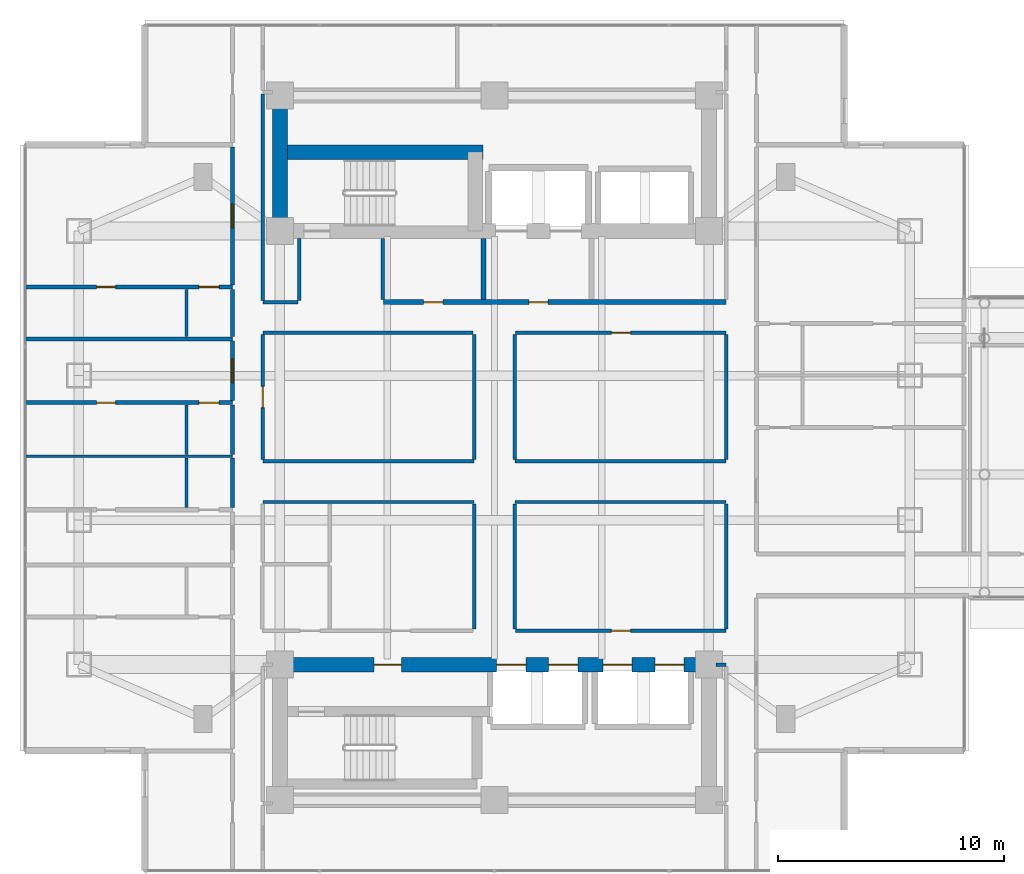
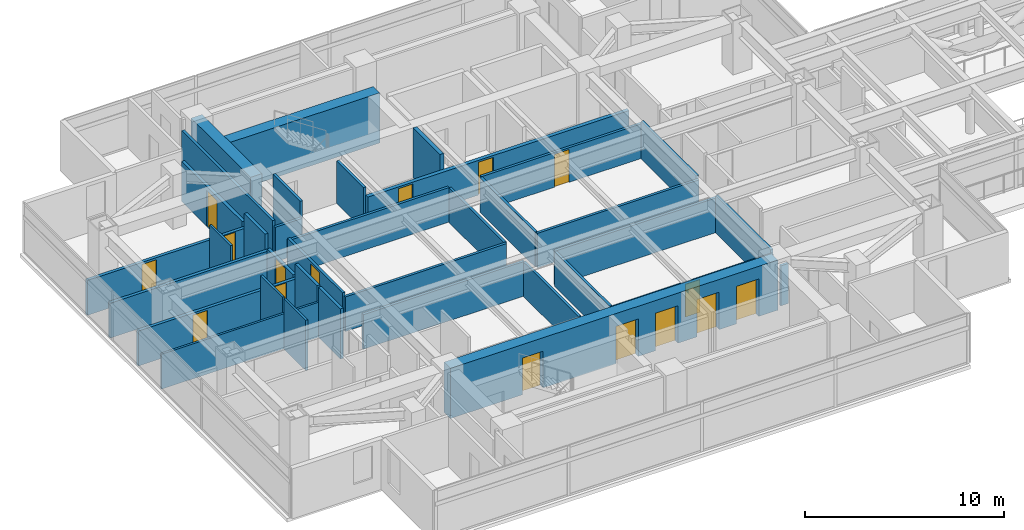
# One storey, part 16 of 27: 36 walls, 16 doors, 16 openings.
"""IFC4 building model written with IfcOpenShell, lengths in metres."""

from ifc_helpers import new_model, si_unit, direction, frame, frame_2d, origin, place, context, subcontext, project, spatial, rectangle, extrude, material, layer, layer_set, type_object, element, fill, save


model = new_model("IFC4")

# Units and contexts
model_context = context("Model", 3, precision=1e-05, world=origin(), true_north=direction((0.0, 1.0)))
body_context = subcontext(model_context, "Body", "Model", "MODEL_VIEW")
ifc_project = project(units=[si_unit("LENGTHUNIT", "METRE"), si_unit("AREAUNIT", "SQUARE_METRE"), si_unit("VOLUMEUNIT", "CUBIC_METRE"), si_unit("PLANEANGLEUNIT", "RADIAN"), si_unit("MASSUNIT", "GRAM", prefix="KILO")], contexts=[model_context])

# Site, building, storey
site_placement = place(None, origin())
site = spatial("IfcSite", under=ifc_project, at=site_placement, CompositionType="ELEMENT")
building_placement = place(site_placement, origin())
building = spatial("IfcBuilding", under=site, at=building_placement, Name="Mirazonda Arch Towers", CompositionType="ELEMENT")
storey_placement = place(building_placement, frame((0.0, 0.0, 95.0)))
storey = spatial("IfcBuildingStorey", under=building, at=storey_placement, Name="L26", CompositionType="ELEMENT", Elevation=95.0)

# Walls
ifc_material_1 = material(Name="Concrete C60/75", Category="concrete")
ifc_layer_1 = layer(ifc_material_1, 0.64990234375, Name="WALL-CORE-650")
ifc_layer_set_1 = layer_set([ifc_layer_1], Name="Concrete C60/75")
wall_type_1 = type_object("IfcWallType", Name="WALL-CORE-650", PredefinedType="SHEAR", material=ifc_layer_set_1)
wall_1_placement = place(storey_placement, frame((11.0, 37.60009765625, 0.0), z_axis=(0.0, 0.0, 1.0), x_axis=(0.0, 1.0, 0.0)))
element("IfcWall", 1, at=wall_1_placement, inside=storey, type_object=wall_type_1, Name="L26 T1N-W Core Shear Wall", PredefinedType="SHEAR", context=body_context, shape_type="SweptSolid", body=[
    extrude(rectangle(XDim=6.0, YDim=0.64990234375, at=frame_2d((3.0, 0.0))), origin(), (0.0, 0.0, 1.0), 3.080078125),
])
wall_2_placement = place(storey_placement, frame((11.0, 41.093017578125, 0.0), z_axis=(0.0, 0.0, 1.0), x_axis=(1.0, 0.0, 0.0)))
element("IfcWall", 2, at=wall_2_placement, inside=storey, type_object=wall_type_1, Name="L26 T1N-STN Core Shear Wall", PredefinedType="SHEAR", context=body_context, shape_type="SweptSolid", body=[
    extrude(rectangle(XDim=9.0, YDim=0.64990234375, at=frame_2d((4.5, 0.0))), origin(), (0.0, 0.0, 1.0), 3.080078125),
])

# Wall, openings, doors
wall_3_placement = place(storey_placement, frame((11.0, 18.39990234375, 0.0), z_axis=(0.0, 0.0, 1.0), x_axis=(1.0, 0.0, 0.0)))
wall_3 = element("IfcWall", 3, at=wall_3_placement, inside=storey, type_object=wall_type_1, Name="L26 T1S-N Core Shear Wall", PredefinedType="SHEAR", context=body_context, shape_type="SweptSolid", body=[
    extrude(rectangle(XDim=19.0, YDim=0.64990234375, at=frame_2d((9.5, 0.0))), origin(), (0.0, 0.0, 1.0), 3.080078125),
])
opening_1_placement = place(wall_3_placement, frame((4.175048828125, 0.0, 0.0)))
opening_1 = element("IfcOpeningElement", 4, at=opening_1_placement, cuts=wall_3, Name="Opening DR-117", PredefinedType="OPENING", context=body_context, shape_type="SweptSolid", body=[
    extrude(rectangle(XDim=1.199951171875, YDim=2.25, at=frame_2d((0.60009765625, 1.125))), frame((0.0, 0.3349609375, 0.0), z_axis=(0.0, -1.0, 0.0), x_axis=(1.0, 0.0, 0.0)), (0.0, 0.0, 1.0), 0.669921875),
])
opening_2_placement = place(wall_3_placement, frame((9.60009765625, 0.0, 0.0)))
opening_2 = element("IfcOpeningElement", 5, at=opening_2_placement, cuts=wall_3, Name="Opening LD-111", PredefinedType="OPENING", context=body_context, shape_type="SweptSolid", body=[
    extrude(rectangle(XDim=1.300048828125, YDim=2.300048828125, at=frame_2d((0.64990234375, 1.14990234375))), frame((0.0, 0.3349609375, 0.0), z_axis=(0.0, -1.0, 0.0), x_axis=(1.0, 0.0, 0.0)), (0.0, 0.0, 1.0), 0.669921875),
])
opening_3_placement = place(wall_3_placement, frame((11.89990234375, 0.0, 0.0)))
opening_3 = element("IfcOpeningElement", 6, at=opening_3_placement, cuts=wall_3, Name="Opening LD-111", PredefinedType="OPENING", context=body_context, shape_type="SweptSolid", body=[
    extrude(rectangle(XDim=1.300048828125, YDim=2.300048828125, at=frame_2d((0.64990234375, 1.14990234375))), frame((0.0, 0.3349609375, 0.0), z_axis=(0.0, -1.0, 0.0), x_axis=(1.0, 0.0, 0.0)), (0.0, 0.0, 1.0), 0.669921875),
])
opening_4_placement = place(wall_3_placement, frame((14.300048828125, 0.0, 0.0)))
opening_4 = element("IfcOpeningElement", 7, at=opening_4_placement, cuts=wall_3, Name="Opening LD-111", PredefinedType="OPENING", context=body_context, shape_type="SweptSolid", body=[
    extrude(rectangle(XDim=1.300048828125, YDim=2.300048828125, at=frame_2d((0.64990234375, 1.14990234375))), frame((0.0, 0.3349609375, 0.0), z_axis=(0.0, -1.0, 0.0), x_axis=(1.0, 0.0, 0.0)), (0.0, 0.0, 1.0), 0.669921875),
])
opening_5_placement = place(wall_3_placement, frame((16.60009765625, 0.0, 0.0)))
opening_5 = element("IfcOpeningElement", 8, at=opening_5_placement, cuts=wall_3, Name="Opening LD-111", PredefinedType="OPENING", context=body_context, shape_type="SweptSolid", body=[
    extrude(rectangle(XDim=1.300048828125, YDim=2.300048828125, at=frame_2d((0.64990234375, 1.14990234375))), frame((0.0, 0.3349609375, 0.0), z_axis=(0.0, -1.0, 0.0), x_axis=(1.0, 0.0, 0.0)), (0.0, 0.0, 1.0), 0.669921875),
])
ifc_material_2 = material(Name="Architectural Brushed Steel S355", Category="steel")
door_type_1 = type_object("IfcDoorType", Name="DOOR-FFL-FD90-1200", OperationType="NOTDEFINED", PredefinedType="DOOR", material=ifc_material_2)
door_1_placement = place(opening_1_placement, origin())
door_1 = element("IfcDoor", 9, at=door_1_placement, inside=storey, type_object=door_type_1, Name="L26 South Core Stair & Lift Lobby Door", OperationType="SINGLE_SWING_RIGHT", OverallHeight=2.25, OverallWidth=1.199951171875, PredefinedType="DOOR", context=body_context, shape_type="SweptSolid", body=[
    extrude(rectangle(XDim=1.199951171875, YDim=2.25, at=frame_2d((0.60009765625, 1.125))), frame((0.0, 0.02490234375, 0.0), z_axis=(0.0, -1.0, 0.0), x_axis=(1.0, 0.0, 0.0)), (0.0, 0.0, 1.0), 0.050048828125),
])
fill(opening_1, door_1)
door_type_2 = type_object("IfcDoorType", Name="DOOR-LIFT-LAND-1300", OperationType="NOTDEFINED", PredefinedType="DOOR", material=ifc_material_2)
door_2_placement = place(opening_2_placement, origin())
door_2 = element("IfcDoor", 10, at=door_2_placement, inside=storey, type_object=door_type_2, Name="L26 Lift Landing Sliding Door PL-T1M1", OperationType="DOUBLE_DOOR_SLIDING", OverallHeight=2.300048828125, OverallWidth=1.300048828125, PredefinedType="DOOR", context=body_context, shape_type="SweptSolid", body=[
    extrude(rectangle(XDim=1.300048828125, YDim=2.300048828125, at=frame_2d((0.64990234375, 1.14990234375))), frame((0.0, 0.02490234375, 0.0), z_axis=(0.0, -1.0, 0.0), x_axis=(1.0, 0.0, 0.0)), (0.0, 0.0, 1.0), 0.050048828125),
])
fill(opening_2, door_2)
door_3_placement = place(opening_3_placement, origin())
door_3 = element("IfcDoor", 11, at=door_3_placement, inside=storey, type_object=door_type_2, Name="L26 Lift Landing Sliding Door PL-T1M2", OperationType="DOUBLE_DOOR_SLIDING", OverallHeight=2.300048828125, OverallWidth=1.300048828125, PredefinedType="DOOR", context=body_context, shape_type="SweptSolid", body=[
    extrude(rectangle(XDim=1.300048828125, YDim=2.300048828125, at=frame_2d((0.64990234375, 1.14990234375))), frame((0.0, 0.02490234375, 0.0), z_axis=(0.0, -1.0, 0.0), x_axis=(1.0, 0.0, 0.0)), (0.0, 0.0, 1.0), 0.050048828125),
])
fill(opening_3, door_3)
door_4_placement = place(opening_4_placement, origin())
door_4 = element("IfcDoor", 12, at=door_4_placement, inside=storey, type_object=door_type_2, Name="L26 Lift Landing Sliding Door PL-T1H1", OperationType="DOUBLE_DOOR_SLIDING", OverallHeight=2.300048828125, OverallWidth=1.300048828125, PredefinedType="DOOR", context=body_context, shape_type="SweptSolid", body=[
    extrude(rectangle(XDim=1.300048828125, YDim=2.300048828125, at=frame_2d((0.64990234375, 1.14990234375))), frame((0.0, 0.02490234375, 0.0), z_axis=(0.0, -1.0, 0.0), x_axis=(1.0, 0.0, 0.0)), (0.0, 0.0, 1.0), 0.050048828125),
])
fill(opening_4, door_4)
door_5_placement = place(opening_5_placement, origin())
door_5 = element("IfcDoor", 13, at=door_5_placement, inside=storey, type_object=door_type_2, Name="L26 Lift Landing Sliding Door PL-T1H2", OperationType="DOUBLE_DOOR_SLIDING", OverallHeight=2.300048828125, OverallWidth=1.300048828125, PredefinedType="DOOR", context=body_context, shape_type="SweptSolid", body=[
    extrude(rectangle(XDim=1.300048828125, YDim=2.300048828125, at=frame_2d((0.64990234375, 1.14990234375))), frame((0.0, 0.02490234375, 0.0), z_axis=(0.0, -1.0, 0.0), x_axis=(1.0, 0.0, 0.0)), (0.0, 0.0, 1.0), 0.050048828125),
])
fill(opening_5, door_5)

ifc_material_3 = material(Name="Concrete C40/50", Category="concrete")
ifc_layer_2 = layer(ifc_material_3, 0.219970703125, Name="WALL-FFL-220")
ifc_layer_set_2 = layer_set([ifc_layer_2], Name="Concrete C40/50")
wall_type_2 = type_object("IfcWallType", Name="WALL-FFL-220", PredefinedType="SOLIDWALL", material=ifc_layer_set_2)
wall_4_placement = place(storey_placement, frame((15.590087890625, 34.449951171875, 0.0), z_axis=(0.0, 0.0, 1.0), x_axis=(1.0, 0.0, 0.0)))
wall_4 = element("IfcWall", 14, at=wall_4_placement, inside=storey, type_object=wall_type_2, Name="L26 Interior Partition 055", PredefinedType="SOLIDWALL", context=body_context, shape_type="SweptSolid", body=[
    extrude(rectangle(XDim=15.169921875, YDim=0.219970703125, at=frame_2d((7.5849609375, 0.0))), origin(), (0.0, 0.0, 1.0), 2.1240234375),
])
opening_6_placement = place(wall_4_placement, frame((6.43505859375, 0.0, 0.0)))
opening_6 = element("IfcOpeningElement", 15, at=opening_6_placement, cuts=wall_4, Name="Opening DR-128", PredefinedType="OPENING", context=body_context, shape_type="SweptSolid", body=[
    extrude(rectangle(XDim=0.85009765625, YDim=2.010009765625, at=frame_2d((0.425048828125, 1.0048828125))), frame((0.0, 0.119873046875, 0.0), z_axis=(0.0, -1.0, 0.0), x_axis=(1.0, 0.0, 0.0)), (0.0, 0.0, 1.0), 0.239990234375),
])
opening_7_placement = place(wall_4_placement, frame((1.77490234375, 0.0, 0.0)))
opening_7 = element("IfcOpeningElement", 16, at=opening_7_placement, cuts=wall_4, Name="Opening DR-128", PredefinedType="OPENING", context=body_context, shape_type="SweptSolid", body=[
    extrude(rectangle(XDim=0.85009765625, YDim=2.010009765625, at=frame_2d((0.425048828125, 1.0048828125))), frame((0.0, 0.119873046875, 0.0), z_axis=(0.0, -1.0, 0.0), x_axis=(1.0, 0.0, 0.0)), (0.0, 0.0, 1.0), 0.239990234375),
])
door_type_3 = type_object("IfcDoorType", Name="DOOR-RISER-FD60-850", OperationType="NOTDEFINED", PredefinedType="DOOR", material=ifc_material_2)
door_6_placement = place(opening_6_placement, origin())
door_6 = element("IfcDoor", 17, at=door_6_placement, inside=storey, type_object=door_type_3, Name="L26 Firefighting Lift Lobby Door", OperationType="SINGLE_SWING_RIGHT", OverallHeight=2.010009765625, OverallWidth=0.85009765625, PredefinedType="DOOR", context=body_context, shape_type="SweptSolid", body=[
    extrude(rectangle(XDim=0.85009765625, YDim=2.010009765625, at=frame_2d((0.425048828125, 1.0048828125))), frame((0.0, 0.02490234375, 0.0), z_axis=(0.0, -1.0, 0.0), x_axis=(1.0, 0.0, 0.0)), (0.0, 0.0, 1.0), 0.050048828125),
])
fill(opening_6, door_6)
door_7_placement = place(opening_7_placement, origin())
door_7 = element("IfcDoor", 18, at=door_7_placement, inside=storey, type_object=door_type_3, Name="L26 Housekeeping Linen Room Door", OperationType="SINGLE_SWING_LEFT", OverallHeight=2.010009765625, OverallWidth=0.85009765625, PredefinedType="DOOR", context=body_context, shape_type="SweptSolid", body=[
    extrude(rectangle(XDim=0.85009765625, YDim=2.010009765625, at=frame_2d((0.425048828125, 1.0048828125))), frame((0.0, 0.02490234375, 0.0), z_axis=(0.0, -1.0, 0.0), x_axis=(1.0, 0.0, 0.0)), (0.0, 0.0, 1.0), 0.050048828125),
])
fill(opening_7, door_7)

# Walls
wall_5_placement = place(storey_placement, frame((20.02490234375, 34.570068359375, 0.0), z_axis=(0.0, 0.0, 1.0), x_axis=(0.0, 1.0, 0.0)))
element("IfcWall", 19, at=wall_5_placement, inside=storey, type_object=wall_type_2, Name="L26 Interior Partition 099", PredefinedType="SOLIDWALL", context=body_context, shape_type="SweptSolid", body=[
    extrude(rectangle(XDim=2.7099609375, YDim=0.219970703125, at=frame_2d((1.35498046875, 0.0))), origin(), (0.0, 0.0, 1.0), 3.080078125),
])
ifc_material_4 = material(Name="Fire-Rated Gypsum Stud Partition")
ifc_layer_3 = layer(ifc_material_4, 0.14990234375, Name="WALL-PART-CORR-150")
ifc_layer_set_3 = layer_set([ifc_layer_3], Name="Fire-Rated Gypsum Stud Partition")
wall_type_3 = type_object("IfcWallType", Name="WALL-PART-CORR-150", PredefinedType="PARTITIONING", material=ifc_layer_set_3)
wall_6_placement = place(storey_placement, frame((30.320068359375, 18.39990234375, 0.0), z_axis=(0.0, 0.0, 1.0), x_axis=(1.0, 0.0, 0.0)))
element("IfcWall", 20, at=wall_6_placement, inside=storey, type_object=wall_type_3, Name="L26 Interior Partition 013", PredefinedType="PARTITIONING", context=body_context, shape_type="SweptSolid", body=[
    extrude(rectangle(XDim=0.43994140625, YDim=0.14990234375, at=frame_2d((0.219970703125, 0.0))), origin(), (0.0, 0.0, 1.0), 2.4560546875),
])

# Wall, opening, door
wall_7_placement = place(storey_placement, frame((21.43994140625, 19.89990234375, 0.0), z_axis=(0.0, 0.0, 1.0), x_axis=(1.0, 0.0, 0.0)))
wall_7 = element("IfcWall", 21, at=wall_7_placement, inside=storey, type_object=wall_type_3, Name="L26 Interior Partition 016", PredefinedType="PARTITIONING", context=body_context, shape_type="SweptSolid", body=[
    extrude(rectangle(XDim=9.320068359375, YDim=0.14990234375, at=frame_2d((4.66015625, 0.0))), origin(), (0.0, 0.0, 1.0), 2.1240234375),
])
opening_8_placement = place(wall_7_placement, frame((4.235107421875, 0.0, 0.0)))
opening_8 = element("IfcOpeningElement", 22, at=opening_8_placement, cuts=wall_7, Name="Opening DR-128", PredefinedType="OPENING", context=body_context, shape_type="SweptSolid", body=[
    extrude(rectangle(XDim=0.85009765625, YDim=2.010009765625, at=frame_2d((0.425048828125, 1.0048828125))), frame((0.0, 0.0849609375, 0.0), z_axis=(0.0, -1.0, 0.0), x_axis=(1.0, 0.0, 0.0)), (0.0, 0.0, 1.0), 0.169921875),
])
door_8_placement = place(opening_8_placement, origin())
door_8 = element("IfcDoor", 23, at=door_8_placement, inside=storey, type_object=door_type_3, Name="L26 L26 South-East Cruciform Lounge Door", OperationType="SINGLE_SWING_LEFT", OverallHeight=2.010009765625, OverallWidth=0.85009765625, PredefinedType="DOOR", context=body_context, shape_type="SweptSolid", body=[
    extrude(rectangle(XDim=0.85009765625, YDim=2.010009765625, at=frame_2d((0.425048828125, 1.0048828125))), frame((0.0, 0.02490234375, 0.0), z_axis=(0.0, -1.0, 0.0), x_axis=(1.0, 0.0, 0.0)), (0.0, 0.0, 1.0), 0.050048828125),
])
fill(opening_8, door_8)

# Walls
for number, where, z_axis, x_axis, name in (
    (24, (10.239990234375, 25.60009765625, 0.0), (0.0, 0.0, 1.0), (1.0, 0.0, 0.0), "L26 Interior Partition 031"),
    (25, (21.39990234375, 25.60009765625, 0.0), (0.0, 0.0, 1.0), (1.0, 0.0, 0.0), "L26 Interior Partition 032"),
    (26, (10.239990234375, 27.39990234375, 0.0), (0.0, 0.0, 1.0), (1.0, 0.0, 0.0), "L26 Interior Partition 036"),
    (27, (21.39990234375, 27.39990234375, 0.0), (0.0, 0.0, 1.0), (1.0, 0.0, 0.0), "L26 Interior Partition 037"),
):
    element("IfcWall", number, at=place(storey_placement, frame(where, z_axis=z_axis, x_axis=x_axis)), inside=storey, type_object=wall_type_3, Name=name, PredefinedType="PARTITIONING", context=body_context, shape_type="SweptSolid", body=[
        extrude(rectangle(XDim=9.360107421875, YDim=0.14990234375, at=frame_2d((4.68017578125, 0.0))), origin(), (0.0, 0.0, 1.0), 2.1240234375),
    ])
wall_8_placement = place(storey_placement, frame((10.239990234375, 33.10009765625, 0.0), z_axis=(0.0, 0.0, 1.0), x_axis=(1.0, 0.0, 0.0)))
element("IfcWall", 28, at=wall_8_placement, inside=storey, type_object=wall_type_3, Name="L26 Interior Partition 051", PredefinedType="PARTITIONING", context=body_context, shape_type="SweptSolid", body=[
    extrude(rectangle(XDim=9.320068359375, YDim=0.14990234375, at=frame_2d((4.66015625, 0.0))), origin(), (0.0, 0.0, 1.0), 2.1240234375),
])

# Wall, opening, door
wall_9_placement = place(storey_placement, frame((21.43994140625, 33.10009765625, 0.0), z_axis=(0.0, 0.0, 1.0), x_axis=(1.0, 0.0, 0.0)))
wall_9 = element("IfcWall", 29, at=wall_9_placement, inside=storey, type_object=wall_type_3, Name="L26 Interior Partition 052", PredefinedType="PARTITIONING", context=body_context, shape_type="SweptSolid", body=[
    extrude(rectangle(XDim=9.320068359375, YDim=0.14990234375, at=frame_2d((4.66015625, 0.0))), origin(), (0.0, 0.0, 1.0), 2.1240234375),
])
opening_9_placement = place(wall_9_placement, frame((4.235107421875, 0.0, 0.0)))
opening_9 = element("IfcOpeningElement", 30, at=opening_9_placement, cuts=wall_9, Name="Opening DR-128", PredefinedType="OPENING", context=body_context, shape_type="SweptSolid", body=[
    extrude(rectangle(XDim=0.85009765625, YDim=2.010009765625, at=frame_2d((0.425048828125, 1.0048828125))), frame((0.0, 0.0849609375, 0.0), z_axis=(0.0, -1.0, 0.0), x_axis=(1.0, 0.0, 0.0)), (0.0, 0.0, 1.0), 0.169921875),
])
door_9_placement = place(opening_9_placement, origin())
door_9 = element("IfcDoor", 31, at=door_9_placement, inside=storey, type_object=door_type_3, Name="L26 L26 North-East Cruciform Study Door", OperationType="SINGLE_SWING_RIGHT", OverallHeight=2.010009765625, OverallWidth=0.85009765625, PredefinedType="DOOR", context=body_context, shape_type="SweptSolid", body=[
    extrude(rectangle(XDim=0.85009765625, YDim=2.010009765625, at=frame_2d((0.425048828125, 1.0048828125))), frame((0.0, 0.02490234375, 0.0), z_axis=(0.0, -1.0, 0.0), x_axis=(1.0, 0.0, 0.0)), (0.0, 0.0, 1.0), 0.050048828125),
])
fill(opening_9, door_9)

# Wall
wall_10_placement = place(storey_placement, frame((10.239990234375, 34.449951171875, 0.0), z_axis=(0.0, 0.0, 1.0), x_axis=(1.0, 0.0, 0.0)))
element("IfcWall", 32, at=wall_10_placement, inside=storey, type_object=wall_type_3, Name="L26 Interior Partition 054", PredefinedType="PARTITIONING", context=body_context, shape_type="SweptSolid", body=[
    extrude(rectangle(XDim=1.56005859375, YDim=0.14990234375, at=frame_2d((0.780029296875, 0.0))), origin(), (0.0, 0.0, 1.0), 2.1240234375),
])

# Wall, opening, door
wall_11_placement = place(storey_placement, frame((10.239990234375, 27.485107421875, 0.0), z_axis=(0.0, 0.0, 1.0), x_axis=(0.0, 1.0, 0.0)))
wall_11 = element("IfcWall", 33, at=wall_11_placement, inside=storey, type_object=wall_type_3, Name="L26 Interior Partition 088", PredefinedType="PARTITIONING", context=body_context, shape_type="SweptSolid", body=[
    extrude(rectangle(XDim=5.52978515625, YDim=0.14990234375, at=frame_2d((2.764892578125, 0.0))), origin(), (0.0, 0.0, 1.0), 2.299072265625),
])
opening_10_placement = place(wall_11_placement, frame((2.2900390625, 0.0, 0.0)))
opening_10 = element("IfcOpeningElement", 34, at=opening_10_placement, cuts=wall_11, Name="Opening DR-104", PredefinedType="OPENING", context=body_context, shape_type="SweptSolid", body=[
    extrude(rectangle(XDim=0.949951171875, YDim=2.14990234375, at=frame_2d((0.47509765625, 1.074951171875))), frame((0.0, 0.0849609375, 0.0), z_axis=(0.0, -1.0, 0.0), x_axis=(1.0, 0.0, 0.0)), (0.0, 0.0, 1.0), 0.169921875),
])
door_type_4 = type_object("IfcDoorType", Name="DOOR-ROOM-950", OperationType="NOTDEFINED", PredefinedType="DOOR", material=ifc_material_2)
door_10_placement = place(opening_10_placement, origin())
door_10 = element("IfcDoor", 35, at=door_10_placement, inside=storey, type_object=door_type_4, Name="L26 L26 West Courtyard Reading Salon Door", OperationType="SINGLE_SWING_RIGHT", OverallHeight=2.14990234375, OverallWidth=0.949951171875, PredefinedType="DOOR", context=body_context, shape_type="SweptSolid", body=[
    extrude(rectangle(XDim=0.949951171875, YDim=2.14990234375, at=frame_2d((0.47509765625, 1.074951171875))), frame((0.0, 0.02490234375, 0.0), z_axis=(0.0, -1.0, 0.0), x_axis=(1.0, 0.0, 0.0)), (0.0, 0.0, 1.0), 0.050048828125),
])
fill(opening_10, door_10)

# Walls
wall_12_placement = place(storey_placement, frame((10.239990234375, 34.534912109375, 0.0), z_axis=(0.0, 0.0, 1.0), x_axis=(0.0, 1.0, 0.0)))
element("IfcWall", 36, at=wall_12_placement, inside=storey, type_object=wall_type_3, Name="L26 Interior Partition 089", PredefinedType="PARTITIONING", context=body_context, shape_type="SweptSolid", body=[
    extrude(rectangle(XDim=9.130126953125, YDim=0.14990234375, at=frame_2d((4.56494140625, 0.0))), origin(), (0.0, 0.0, 1.0), 2.4560546875),
])
wall_13_placement = place(storey_placement, frame((11.85009765625, 34.534912109375, 0.0), z_axis=(0.0, 0.0, 1.0), x_axis=(0.0, 1.0, 0.0)))
element("IfcWall", 37, at=wall_13_placement, inside=storey, type_object=wall_type_3, Name="L26 Interior Partition 091", PredefinedType="PARTITIONING", context=body_context, shape_type="SweptSolid", body=[
    extrude(rectangle(XDim=2.7451171875, YDim=0.14990234375, at=frame_2d((1.37255859375, 0.0))), origin(), (0.0, 0.0, 1.0), 3.080078125),
])
wall_14_placement = place(storey_placement, frame((15.550048828125, 34.570068359375, 0.0), z_axis=(0.0, 0.0, 1.0), x_axis=(0.0, 1.0, 0.0)))
element("IfcWall", 38, at=wall_14_placement, inside=storey, type_object=wall_type_3, Name="L26 Interior Partition 094", PredefinedType="PARTITIONING", context=body_context, shape_type="SweptSolid", body=[
    extrude(rectangle(XDim=2.7099609375, YDim=0.14990234375, at=frame_2d((1.35498046875, 0.0))), origin(), (0.0, 0.0, 1.0), 2.60888671875),
])
for number, where, z_axis, x_axis, name in (
    (39, (19.60009765625, 19.985107421875, 0.0), (0.0, 0.0, 1.0), (0.0, 1.0, 0.0), "L26 Interior Partition 096"),
    (40, (19.60009765625, 27.485107421875, 0.0), (0.0, 0.0, 1.0), (0.0, 1.0, 0.0), "L26 Interior Partition 097"),
    (41, (21.39990234375, 19.985107421875, 0.0), (0.0, 0.0, 1.0), (0.0, 1.0, 0.0), "L26 Interior Partition 103"),
    (42, (21.39990234375, 27.485107421875, 0.0), (0.0, 0.0, 1.0), (0.0, 1.0, 0.0), "L26 Interior Partition 104"),
):
    element("IfcWall", number, at=place(storey_placement, frame(where, z_axis=z_axis, x_axis=x_axis)), inside=storey, type_object=wall_type_3, Name=name, PredefinedType="PARTITIONING", context=body_context, shape_type="SweptSolid", body=[
        extrude(rectangle(XDim=5.52978515625, YDim=0.14990234375, at=frame_2d((2.764892578125, 0.0))), origin(), (0.0, 0.0, 1.0), 2.1240234375),
    ])
for number, where, z_axis, x_axis, name in (
    (43, (30.760009765625, 19.985107421875, 0.0), (0.0, 0.0, 1.0), (0.0, 1.0, 0.0), "L26 Interior Partition 114"),
    (44, (30.760009765625, 27.485107421875, 0.0), (0.0, 0.0, 1.0), (0.0, 1.0, 0.0), "L26 Interior Partition 115"),
):
    element("IfcWall", number, at=place(storey_placement, frame(where, z_axis=z_axis, x_axis=x_axis)), inside=storey, type_object=wall_type_3, Name=name, PredefinedType="PARTITIONING", context=body_context, shape_type="SweptSolid", body=[
        extrude(rectangle(XDim=5.52978515625, YDim=0.14990234375, at=frame_2d((2.764892578125, 0.0))), origin(), (0.0, 0.0, 1.0), 2.299072265625),
    ])

# Wall, openings, doors
ifc_material_5 = material(Name="Fire-Rated Gypsum Twin-Stud Assembly")
ifc_layer_4 = layer(ifc_material_5, 0.179931640625, Name="WALL-PART-DEMISE-180")
ifc_layer_set_4 = layer_set([ifc_layer_4], Name="Fire-Rated Gypsum Twin-Stud Assembly")
wall_type_4 = type_object("IfcWallType", Name="WALL-PART-DEMISE-180", PredefinedType="PARTITIONING", material=ifc_layer_set_4)
wall_15_placement = place(storey_placement, frame((-0.2900390625, 29.9990234375, 0.0), z_axis=(0.0, 0.0, 1.0), x_axis=(1.0, 0.0, 0.0)))
wall_15 = element("IfcWall", 45, at=wall_15_placement, inside=storey, type_object=wall_type_4, Name="L26 Interior Partition 042", PredefinedType="PARTITIONING", context=body_context, shape_type="SweptSolid", body=[
    extrude(rectangle(XDim=9.18994140625, YDim=0.179931640625, at=frame_2d((4.594970703125, 0.0))), origin(), (0.0, 0.0, 1.0), 2.14501953125),
])
opening_11_placement = place(wall_15_placement, frame((3.169921875, 0.0, 0.0)))
opening_11 = element("IfcOpeningElement", 46, at=opening_11_placement, cuts=wall_15, Name="Opening DR-128", PredefinedType="OPENING", context=body_context, shape_type="SweptSolid", body=[
    extrude(rectangle(XDim=0.85009765625, YDim=2.010009765625, at=frame_2d((0.425048828125, 1.0048828125))), frame((0.0, 0.099853515625, 0.0), z_axis=(0.0, -1.0, 0.0), x_axis=(1.0, 0.0, 0.0)), (0.0, 0.0, 1.0), 0.199951171875),
])
opening_12_placement = place(wall_15_placement, frame((7.699951171875, 0.0, 0.0)))
opening_12 = element("IfcOpeningElement", 47, at=opening_12_placement, cuts=wall_15, Name="Opening DR-120", PredefinedType="OPENING", context=body_context, shape_type="SweptSolid", body=[
    extrude(rectangle(XDim=0.89990234375, YDim=2.10009765625, at=frame_2d((0.449951171875, 1.050048828125))), frame((0.0, 0.099853515625, 0.0), z_axis=(0.0, -1.0, 0.0), x_axis=(1.0, 0.0, 0.0)), (0.0, 0.0, 1.0), 0.199951171875),
])
door_11_placement = place(opening_11_placement, origin())
door_11 = element("IfcDoor", 48, at=door_11_placement, inside=storey, type_object=door_type_3, Name="L26 Guestroom Study 3 Door", OperationType="SINGLE_SWING_RIGHT", OverallHeight=2.010009765625, OverallWidth=0.85009765625, PredefinedType="DOOR", context=body_context, shape_type="SweptSolid", body=[
    extrude(rectangle(XDim=0.85009765625, YDim=2.010009765625, at=frame_2d((0.425048828125, 1.0048828125))), frame((0.0, 0.02490234375, 0.0), z_axis=(0.0, -1.0, 0.0), x_axis=(1.0, 0.0, 0.0)), (0.0, 0.0, 1.0), 0.050048828125),
])
fill(opening_11, door_11)
door_type_5 = type_object("IfcDoorType", Name="DOOR-WC-900", OperationType="NOTDEFINED", PredefinedType="DOOR", material=ifc_material_2)
door_12_placement = place(opening_12_placement, origin())
door_12 = element("IfcDoor", 49, at=door_12_placement, inside=storey, type_object=door_type_5, Name="L26 En-Suite Bathroom 3 Door", OperationType="SINGLE_SWING_LEFT", OverallHeight=2.10009765625, OverallWidth=0.89990234375, PredefinedType="DOOR", context=body_context, shape_type="SweptSolid", body=[
    extrude(rectangle(XDim=0.89990234375, YDim=2.10009765625, at=frame_2d((0.449951171875, 1.050048828125))), frame((0.0, 0.02490234375, 0.0), z_axis=(0.0, -1.0, 0.0), x_axis=(1.0, 0.0, 0.0)), (0.0, 0.0, 1.0), 0.050048828125),
])
fill(opening_12, door_12)

# Wall
wall_16_placement = place(storey_placement, frame((-0.2900390625, 32.821044921875, 0.0), z_axis=(0.0, 0.0, 1.0), x_axis=(1.0, 0.0, 0.0)))
element("IfcWall", 50, at=wall_16_placement, inside=storey, type_object=wall_type_4, Name="L26 Interior Partition 050", PredefinedType="PARTITIONING", context=body_context, shape_type="SweptSolid", body=[
    extrude(rectangle(XDim=9.18994140625, YDim=0.179931640625, at=frame_2d((4.594970703125, 0.0))), origin(), (0.0, 0.0, 1.0), 2.14501953125),
])

# Wall, openings, doors
wall_17_placement = place(storey_placement, frame((-0.2900390625, 35.12109375, 0.0), z_axis=(0.0, 0.0, 1.0), x_axis=(1.0, 0.0, 0.0)))
wall_17 = element("IfcWall", 51, at=wall_17_placement, inside=storey, type_object=wall_type_4, Name="L26 Interior Partition 056", PredefinedType="PARTITIONING", context=body_context, shape_type="SweptSolid", body=[
    extrude(rectangle(XDim=9.18994140625, YDim=0.179931640625, at=frame_2d((4.594970703125, 0.0))), origin(), (0.0, 0.0, 1.0), 2.14501953125),
])
opening_13_placement = place(wall_17_placement, frame((3.169921875, 0.0, 0.0)))
opening_13 = element("IfcOpeningElement", 52, at=opening_13_placement, cuts=wall_17, Name="Opening DR-128", PredefinedType="OPENING", context=body_context, shape_type="SweptSolid", body=[
    extrude(rectangle(XDim=0.85009765625, YDim=2.010009765625, at=frame_2d((0.425048828125, 1.0048828125))), frame((0.0, 0.099853515625, 0.0), z_axis=(0.0, -1.0, 0.0), x_axis=(1.0, 0.0, 0.0)), (0.0, 0.0, 1.0), 0.199951171875),
])
opening_14_placement = place(wall_17_placement, frame((7.699951171875, 0.0, 0.0)))
opening_14 = element("IfcOpeningElement", 53, at=opening_14_placement, cuts=wall_17, Name="Opening DR-120", PredefinedType="OPENING", context=body_context, shape_type="SweptSolid", body=[
    extrude(rectangle(XDim=0.89990234375, YDim=2.10009765625, at=frame_2d((0.449951171875, 1.050048828125))), frame((0.0, 0.099853515625, 0.0), z_axis=(0.0, -1.0, 0.0), x_axis=(1.0, 0.0, 0.0)), (0.0, 0.0, 1.0), 0.199951171875),
])
door_13_placement = place(opening_13_placement, origin())
door_13 = element("IfcDoor", 54, at=door_13_placement, inside=storey, type_object=door_type_3, Name="L26 Guestroom Study 4 Door", OperationType="SINGLE_SWING_LEFT", OverallHeight=2.010009765625, OverallWidth=0.85009765625, PredefinedType="DOOR", context=body_context, shape_type="SweptSolid", body=[
    extrude(rectangle(XDim=0.85009765625, YDim=2.010009765625, at=frame_2d((0.425048828125, 1.0048828125))), frame((0.0, 0.02490234375, 0.0), z_axis=(0.0, -1.0, 0.0), x_axis=(1.0, 0.0, 0.0)), (0.0, 0.0, 1.0), 0.050048828125),
])
fill(opening_13, door_13)
door_14_placement = place(opening_14_placement, origin())
door_14 = element("IfcDoor", 55, at=door_14_placement, inside=storey, type_object=door_type_5, Name="L26 En-Suite Bathroom 4 Door", OperationType="SINGLE_SWING_RIGHT", OverallHeight=2.10009765625, OverallWidth=0.89990234375, PredefinedType="DOOR", context=body_context, shape_type="SweptSolid", body=[
    extrude(rectangle(XDim=0.89990234375, YDim=2.10009765625, at=frame_2d((0.449951171875, 1.050048828125))), frame((0.0, 0.02490234375, 0.0), z_axis=(0.0, -1.0, 0.0), x_axis=(1.0, 0.0, 0.0)), (0.0, 0.0, 1.0), 0.050048828125),
])
fill(opening_14, door_14)

# Walls
for number, where, z_axis, x_axis, name in (
    (56, (8.89990234375, 25.35888671875, 0.0), (0.0, 0.0, 1.0), (0.0, 1.0, 0.0), "L26 Interior Partition 078"),
    (57, (8.89990234375, 27.701416015625, 0.0), (0.0, 0.0, 1.0), (0.0, 1.0, 0.0), "L26 Interior Partition 079"),
):
    element("IfcWall", number, at=place(storey_placement, frame(where, z_axis=z_axis, x_axis=x_axis)), inside=storey, type_object=wall_type_4, Name=name, PredefinedType="PARTITIONING", context=body_context, shape_type="SweptSolid", body=[
        extrude(rectangle(XDim=2.197509765625, YDim=0.179931640625, at=frame_2d((1.0986328125, 0.0))), origin(), (0.0, 0.0, 1.0), 3.080078125),
    ])

# Wall, opening, door
wall_18_placement = place(storey_placement, frame((8.89990234375, 30.09912109375, 0.0), z_axis=(0.0, 0.0, 1.0), x_axis=(0.0, 1.0, 0.0)))
wall_18 = element("IfcWall", 58, at=wall_18_placement, inside=storey, type_object=wall_type_4, Name="L26 Interior Partition 080", PredefinedType="PARTITIONING", context=body_context, shape_type="SweptSolid", body=[
    extrude(rectangle(XDim=2.621826171875, YDim=0.179931640625, at=frame_2d((1.31103515625, 0.0))), origin(), (0.0, 0.0, 1.0), 2.299072265625),
])
opening_15_placement = place(wall_18_placement, frame((0.785888671875, 0.0, 0.0)))
opening_15 = element("IfcOpeningElement", 59, at=opening_15_placement, cuts=wall_18, Name="Opening DR-121", PredefinedType="OPENING", context=body_context, shape_type="SweptSolid", body=[
    extrude(rectangle(XDim=1.050048828125, YDim=2.199951171875, at=frame_2d((0.52490234375, 1.10009765625))), frame((0.0, 0.099853515625, 0.0), z_axis=(0.0, -1.0, 0.0), x_axis=(1.0, 0.0, 0.0)), (0.0, 0.0, 1.0), 0.199951171875),
])
door_type_6 = type_object("IfcDoorType", Name="DOOR-SUITE-FD60-1050", OperationType="NOTDEFINED", PredefinedType="DOOR", material=ifc_material_2)
door_15_placement = place(opening_15_placement, origin())
door_15 = element("IfcDoor", 60, at=door_15_placement, inside=storey, type_object=door_type_6, Name="L26 King Hotel Guestroom 3 Door", OperationType="SINGLE_SWING_LEFT", OverallHeight=2.199951171875, OverallWidth=1.050048828125, PredefinedType="DOOR", context=body_context, shape_type="SweptSolid", body=[
    extrude(rectangle(XDim=1.050048828125, YDim=2.199951171875, at=frame_2d((0.52490234375, 1.10009765625))), frame((0.0, 0.02490234375, 0.0), z_axis=(0.0, -1.0, 0.0), x_axis=(1.0, 0.0, 0.0)), (0.0, 0.0, 1.0), 0.050048828125),
])
fill(opening_15, door_15)

# Wall
wall_19_placement = place(storey_placement, frame((8.89990234375, 32.9208984375, 0.0), z_axis=(0.0, 0.0, 1.0), x_axis=(0.0, 1.0, 0.0)))
element("IfcWall", 61, at=wall_19_placement, inside=storey, type_object=wall_type_4, Name="L26 Interior Partition 081", PredefinedType="PARTITIONING", context=body_context, shape_type="SweptSolid", body=[
    extrude(rectangle(XDim=2.10009765625, YDim=0.179931640625, at=frame_2d((1.050048828125, 0.0))), origin(), (0.0, 0.0, 1.0), 3.080078125),
])

# Wall, opening, door
wall_20_placement = place(storey_placement, frame((8.89990234375, 35.220947265625, 0.0), z_axis=(0.0, 0.0, 1.0), x_axis=(0.0, 1.0, 0.0)))
wall_20 = element("IfcWall", 62, at=wall_20_placement, inside=storey, type_object=wall_type_4, Name="L26 Interior Partition 082", PredefinedType="PARTITIONING", context=body_context, shape_type="SweptSolid", body=[
    extrude(rectangle(XDim=6.10009765625, YDim=0.179931640625, at=frame_2d((3.050048828125, 0.0))), origin(), (0.0, 0.0, 1.0), 2.4560546875),
])
opening_16_placement = place(wall_20_placement, frame((2.52490234375, 0.0, 0.0)))
opening_16 = element("IfcOpeningElement", 63, at=opening_16_placement, cuts=wall_20, Name="Opening DR-121", PredefinedType="OPENING", context=body_context, shape_type="SweptSolid", body=[
    extrude(rectangle(XDim=1.050048828125, YDim=2.199951171875, at=frame_2d((0.52490234375, 1.10009765625))), frame((0.0, 0.099853515625, 0.0), z_axis=(0.0, -1.0, 0.0), x_axis=(1.0, 0.0, 0.0)), (0.0, 0.0, 1.0), 0.199951171875),
])
door_16_placement = place(opening_16_placement, origin())
door_16 = element("IfcDoor", 64, at=door_16_placement, inside=storey, type_object=door_type_6, Name="L26 Twin Hotel Guestroom 4 Door", OperationType="SINGLE_SWING_RIGHT", OverallHeight=2.199951171875, OverallWidth=1.050048828125, PredefinedType="DOOR", context=body_context, shape_type="SweptSolid", body=[
    extrude(rectangle(XDim=1.050048828125, YDim=2.199951171875, at=frame_2d((0.52490234375, 1.10009765625))), frame((0.0, 0.02490234375, 0.0), z_axis=(0.0, -1.0, 0.0), x_axis=(1.0, 0.0, 0.0)), (0.0, 0.0, 1.0), 0.050048828125),
])
fill(opening_16, door_16)

# Walls
ifc_material_6 = material(Name="Acoustic Fire-Rated Gypsum Partition")
ifc_layer_5 = layer(ifc_material_6, 0.125, Name="WALL-PART-UNIT-125")
ifc_layer_set_5 = layer_set([ifc_layer_5], Name="Acoustic Fire-Rated Gypsum Partition")
wall_type_5 = type_object("IfcWallType", Name="WALL-PART-UNIT-125", PredefinedType="PARTITIONING", material=ifc_layer_set_5)
wall_21_placement = place(storey_placement, frame((-0.2900390625, 27.62890625, 0.0), z_axis=(0.0, 0.0, 1.0), x_axis=(1.0, 0.0, 0.0)))
element("IfcWall", 65, at=wall_21_placement, inside=storey, type_object=wall_type_5, Name="L26 Interior Partition 038", PredefinedType="PARTITIONING", context=body_context, shape_type="SweptSolid", body=[
    extrude(rectangle(XDim=9.18994140625, YDim=0.125, at=frame_2d((4.594970703125, 0.0))), origin(), (0.0, 0.0, 1.0), 2.14501953125),
])
for number, where, z_axis, x_axis, name in (
    (66, (6.860107421875, 25.35888671875, 0.0), (0.0, 0.0, 1.0), (0.0, 1.0, 0.0), "L26 Interior Partition 071"),
    (67, (6.860107421875, 27.701416015625, 0.0), (0.0, 0.0, 1.0), (0.0, 1.0, 0.0), "L26 Interior Partition 072"),
):
    element("IfcWall", number, at=place(storey_placement, frame(where, z_axis=z_axis, x_axis=x_axis)), inside=storey, type_object=wall_type_5, Name=name, PredefinedType="PARTITIONING", context=body_context, shape_type="SweptSolid", body=[
        extrude(rectangle(XDim=2.197509765625, YDim=0.125, at=frame_2d((1.0986328125, 0.0))), origin(), (0.0, 0.0, 1.0), 3.080078125),
    ])
wall_22_placement = place(storey_placement, frame((6.860107421875, 32.9208984375, 0.0), z_axis=(0.0, 0.0, 1.0), x_axis=(0.0, 1.0, 0.0)))
element("IfcWall", 68, at=wall_22_placement, inside=storey, type_object=wall_type_5, Name="L26 Interior Partition 073", PredefinedType="PARTITIONING", context=body_context, shape_type="SweptSolid", body=[
    extrude(rectangle(XDim=2.10009765625, YDim=0.125, at=frame_2d((1.050048828125, 0.0))), origin(), (0.0, 0.0, 1.0), 3.080078125),
])

save(model, "model.ifc")
